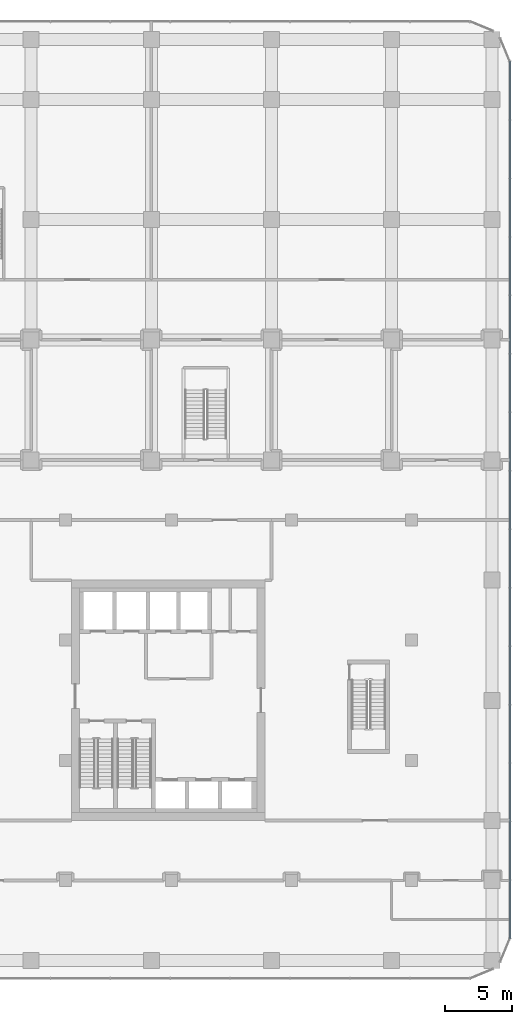
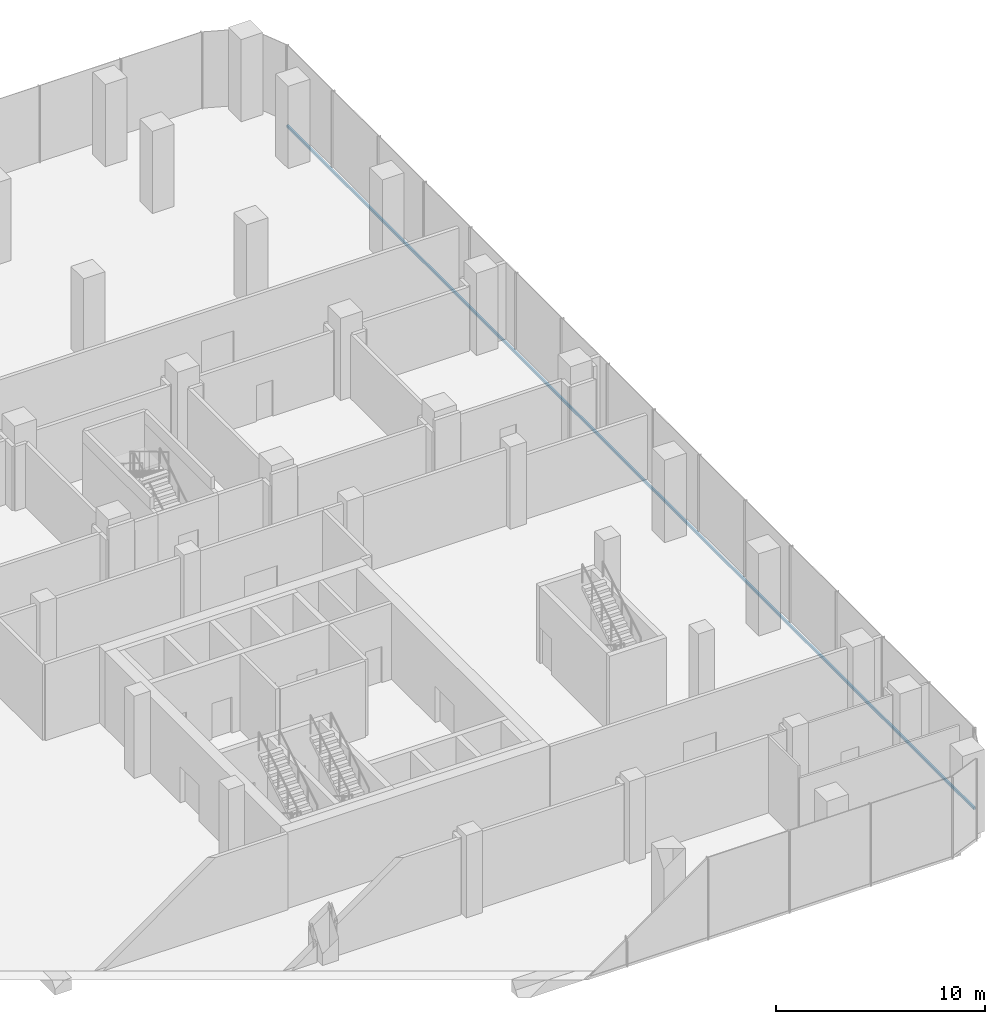
# One storey, part 19 of 42: 1 member, 1 element without a shape of its own.
"""IFC4 building model written with IfcOpenShell, lengths in metres."""

from ifc_helpers import new_model, si_unit, direction, frame, origin, origin_2d, place, context, subcontext, project, spatial, rectangle, extrude, material, layer, layer_set, material_profile, profile_set, type_object, element, aggregate, save


model = new_model("IFC4")

# Units and contexts
model_context = context("Model", 3, precision=1e-05, world=origin(), true_north=direction((0.0, 1.0)))
body_context = subcontext(model_context, "Body", "Model", "MODEL_VIEW")
ifc_project = project(units=[si_unit("LENGTHUNIT", "METRE"), si_unit("AREAUNIT", "SQUARE_METRE"), si_unit("VOLUMEUNIT", "CUBIC_METRE"), si_unit("PLANEANGLEUNIT", "RADIAN"), si_unit("MASSUNIT", "GRAM", prefix="KILO")], contexts=[model_context])

# Site, building, storey
site_placement = place(None, origin())
site = spatial("IfcSite", under=ifc_project, at=site_placement, CompositionType="ELEMENT")
building_placement = place(site_placement, origin())
building = spatial("IfcBuilding", under=site, at=building_placement, Name="Plateau Cross Towers", CompositionType="ELEMENT")
storey_placement = place(building_placement, frame((0.0, 0.0, 8.0)))
storey = spatial("IfcBuildingStorey", under=building, at=storey_placement, Name="L01", CompositionType="ELEMENT", Elevation=8.0)

# Curtain wall, member
ifc_material_1 = material(Name="Dark low-iron laminated glass", Category="glass")
ifc_layer = layer(ifc_material_1, 0.300048828125)
ifc_layer_set = layer_set([ifc_layer], Name="Dark low-iron laminated glass")
curtain_wall_type = type_object("IfcCurtainWallType", Name="Curtain wall structural silicone CW-C", PredefinedType="NOTDEFINED", material=ifc_layer_set)
curtain_wall_placement = place(storey_placement, origin())
curtain_wall = element("IfcCurtainWall", 1, at=curtain_wall_placement, inside=storey, type_object=curtain_wall_type, Name="ENV/P/L01/P1078_-88", PredefinedType="NOTDEFINED")
ifc_material_2 = material(Name="Black anodised aluminium", Category="aluminium")
ifc_material_profile = material_profile(ifc_material_2, rectangle(XDim=0.10009765625, YDim=0.14990234375, at=origin_2d()), Name="TRANSOM 100x150")
ifc_profile_set = profile_set([ifc_material_profile], Name="Black anodised aluminium")
member_type = type_object("IfcMemberType", Name="Transom 100x150 structural silicone", PredefinedType="USERDEFINED", material=ifc_profile_set)
member_placement = place(storey_placement, frame((107.85009765625, -8.85009765625, -0.27490234375), z_axis=(0.0, 1.0, 0.0), x_axis=(-1.0, 0.0, 0.0)))
member = element("IfcMember", 2, at=member_placement, type_object=member_type, Name="CW-C transom", ObjectType="TRANSOM", PredefinedType="USERDEFINED", context=body_context, shape_type="SweptSolid", body=[
    extrude(rectangle(XDim=0.10009765625, YDim=0.14990234375, at=origin_2d()), origin(), (0.0, 0.0, 1.0), 65.7001953125),
])
aggregate(curtain_wall, [member])

save(model, "model.ifc")
